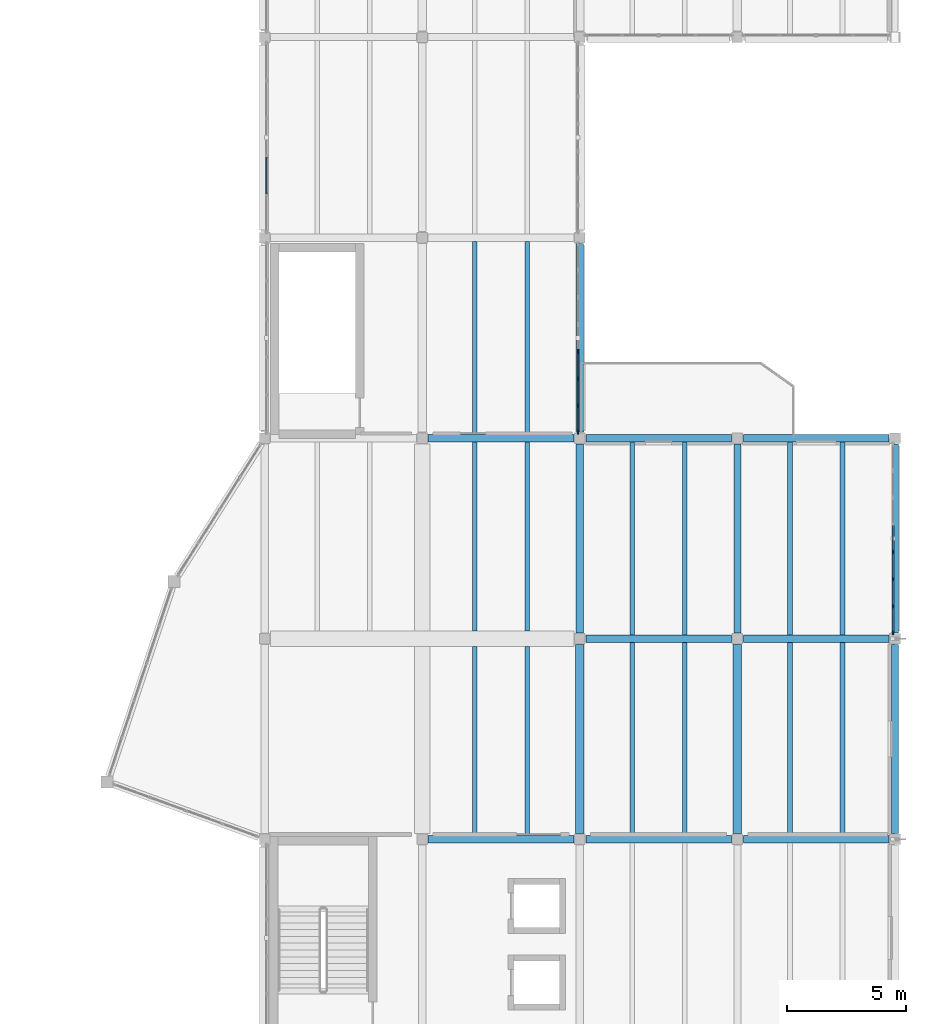
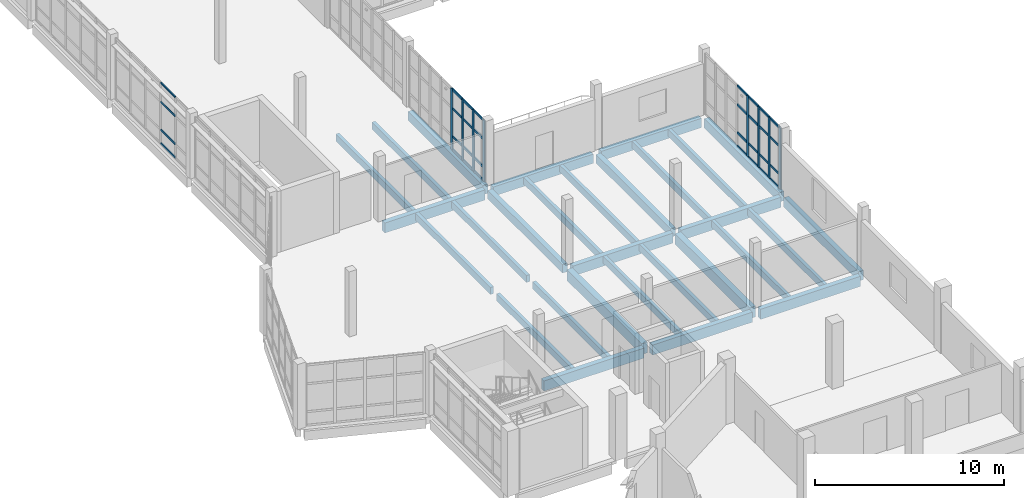
# One storey, part 26 of 74: 40 members, 29 beams, 3 elements without a shape of their own.
"""IFC4 building model written with IfcOpenShell, lengths in metres."""

from ifc_helpers import new_model, si_unit, direction, frame, origin, origin_2d, place, context, subcontext, project, spatial, rectangle, extrude, material, material_profile, profile_set, type_object, element, aggregate, save


model = new_model("IFC4")

# Units and contexts
model_context = context("Model", 3, precision=1e-05, world=origin(), true_north=direction((0.0, 1.0)))
body_context = subcontext(model_context, "Body", "Model", "MODEL_VIEW")
ifc_project = project(units=[si_unit("LENGTHUNIT", "METRE"), si_unit("AREAUNIT", "SQUARE_METRE"), si_unit("VOLUMEUNIT", "CUBIC_METRE"), si_unit("PLANEANGLEUNIT", "RADIAN"), si_unit("MASSUNIT", "GRAM", prefix="KILO")], contexts=[model_context])

# Site, building, storey
site_placement = place(None, origin())
site = spatial("IfcSite", under=ifc_project, at=site_placement, CompositionType="ELEMENT")
building_placement = place(site_placement, origin())
building = spatial("IfcBuilding", under=site, at=building_placement, Name="Qaldarim Faculty of Natural and Applied Sciences", CompositionType="ELEMENT")
storey_placement = place(building_placement, frame((0.0, 0.0, 14.39990234375)))
storey = spatial("IfcBuildingStorey", under=building, at=storey_placement, Name="L03", CompositionType="ELEMENT", Elevation=14.39990234375)

# Beams
ifc_material_1 = material(Name="Concrete C40/50", Category="concrete")
ifc_material_profile_1 = material_profile(ifc_material_1, rectangle(XDim=0.300048828125, YDim=0.550048828125, at=origin_2d()), Name="RC-B300x550")
ifc_profile_set_1 = profile_set([ifc_material_profile_1], Name="Concrete C40/50")
beam_type_1 = type_object("IfcBeamType", Name="FloorBeam-RC300x550", PredefinedType="BEAM", material=ifc_profile_set_1)
for number, where, z_axis, x_axis, name in (
    (1, (165.0, 75.85009765625, -0.534912109375), (0.0, 1.0, 0.0), (-1.0, 0.0, 0.0), "Beam RC-B300x550 L02 X26/Y10-Y11"),
    (2, (171.60009765625, 75.85009765625, -0.534912109375), (0.0, 1.0, 0.0), (-1.0, 0.0, 0.0), "Beam RC-B300x550 L02 X27/Y10-Y11"),
):
    element("IfcBeam", number, at=place(storey_placement, frame(where, z_axis=z_axis, x_axis=x_axis)), inside=storey, type_object=beam_type_1, Name=name, PredefinedType="BEAM", context=body_context, shape_type="SweptSolid", body=[
        extrude(rectangle(XDim=0.300048828125, YDim=0.550048828125, at=origin_2d()), origin(), (0.0, 0.0, 1.0), 7.89990234375),
    ])
ifc_material_profile_2 = material_profile(ifc_material_1, rectangle(XDim=0.199951171875, YDim=0.449951171875, at=origin_2d()), Name="RC-J200x450")
ifc_profile_set_2 = profile_set([ifc_material_profile_2], Name="Concrete C40/50")
beam_type_2 = type_object("IfcBeamType", Name="LabJoist-RC200x450", PredefinedType="JOIST", material=ifc_profile_set_2)
for number, where, z_axis, x_axis, name in (
    (3, (160.60009765625, 67.35009765625, -0.48486328125), (0.0, 1.0, 0.0), (-1.0, 0.0, 0.0), "Laboratory joist L02 bay X25Y09-1"),
    (4, (162.800048828125, 67.35009765625, -0.48486328125), (0.0, 1.0, 0.0), (-1.0, 0.0, 0.0), "Laboratory joist L02 bay X25Y09-2"),
):
    element("IfcBeam", number, at=place(storey_placement, frame(where, z_axis=z_axis, x_axis=x_axis)), inside=storey, type_object=beam_type_2, Name=name, PredefinedType="JOIST", context=body_context, shape_type="SweptSolid", body=[
        extrude(rectangle(XDim=0.199951171875, YDim=0.449951171875, at=origin_2d()), origin(), (0.0, 0.0, 1.0), 7.9248046875),
    ])
for number, where, z_axis, x_axis, name in (
    (5, (160.60009765625, 75.925048828125, -0.48486328125), (0.0, 1.0, 0.0), (-1.0, 0.0, 0.0), "Laboratory joist L02 bay X25Y10-1"),
    (6, (162.800048828125, 75.925048828125, -0.48486328125), (0.0, 1.0, 0.0), (-1.0, 0.0, 0.0), "Laboratory joist L02 bay X25Y10-2"),
):
    element("IfcBeam", number, at=place(storey_placement, frame(where, z_axis=z_axis, x_axis=x_axis)), inside=storey, type_object=beam_type_2, Name=name, PredefinedType="JOIST", context=body_context, shape_type="SweptSolid", body=[
        extrude(rectangle(XDim=0.199951171875, YDim=0.449951171875, at=origin_2d()), origin(), (0.0, 0.0, 1.0), 7.925048828125),
    ])
for number, where, z_axis, x_axis, name in (
    (7, (160.60009765625, 84.14990234375, -0.48486328125), (0.0, 1.0, 0.0), (-1.0, 0.0, 0.0), "Laboratory joist L02 bay X25Y11-1"),
    (8, (162.800048828125, 84.14990234375, -0.48486328125), (0.0, 1.0, 0.0), (-1.0, 0.0, 0.0), "Laboratory joist L02 bay X25Y11-2"),
):
    element("IfcBeam", number, at=place(storey_placement, frame(where, z_axis=z_axis, x_axis=x_axis)), inside=storey, type_object=beam_type_2, Name=name, PredefinedType="JOIST", context=body_context, shape_type="SweptSolid", body=[
        extrude(rectangle(XDim=0.199951171875, YDim=0.449951171875, at=origin_2d()), origin(), (0.0, 0.0, 1.0), 8.10009765625),
    ])
for number, where, z_axis, x_axis, name in (
    (9, (167.199951171875, 67.35009765625, -0.48486328125), (0.0, 1.0, 0.0), (-1.0, 0.0, 0.0), "Laboratory joist L02 bay X26Y09-1"),
    (10, (169.39990234375, 67.35009765625, -0.48486328125), (0.0, 1.0, 0.0), (-1.0, 0.0, 0.0), "Laboratory joist L02 bay X26Y09-2"),
):
    element("IfcBeam", number, at=place(storey_placement, frame(where, z_axis=z_axis, x_axis=x_axis)), inside=storey, type_object=beam_type_2, Name=name, PredefinedType="JOIST", context=body_context, shape_type="SweptSolid", body=[
        extrude(rectangle(XDim=0.199951171875, YDim=0.449951171875, at=origin_2d()), origin(), (0.0, 0.0, 1.0), 8.099853515625),
    ])
for number, where, z_axis, x_axis, name in (
    (11, (167.199951171875, 75.75, -0.48486328125), (0.0, 1.0, 0.0), (-1.0, 0.0, 0.0), "Laboratory joist L02 bay X26Y10-1"),
    (12, (169.39990234375, 75.75, -0.48486328125), (0.0, 1.0, 0.0), (-1.0, 0.0, 0.0), "Laboratory joist L02 bay X26Y10-2"),
):
    element("IfcBeam", number, at=place(storey_placement, frame(where, z_axis=z_axis, x_axis=x_axis)), inside=storey, type_object=beam_type_2, Name=name, PredefinedType="JOIST", context=body_context, shape_type="SweptSolid", body=[
        extrude(rectangle(XDim=0.199951171875, YDim=0.449951171875, at=origin_2d()), origin(), (0.0, 0.0, 1.0), 8.10009765625),
    ])
for number, where, z_axis, x_axis, name in (
    (13, (173.800048828125, 67.35009765625, -0.48486328125), (0.0, 1.0, 0.0), (-1.0, 0.0, 0.0), "Laboratory joist L02 bay X27Y09-1"),
    (14, (176.0, 67.35009765625, -0.48486328125), (0.0, 1.0, 0.0), (-1.0, 0.0, 0.0), "Laboratory joist L02 bay X27Y09-2"),
):
    element("IfcBeam", number, at=place(storey_placement, frame(where, z_axis=z_axis, x_axis=x_axis)), inside=storey, type_object=beam_type_2, Name=name, PredefinedType="JOIST", context=body_context, shape_type="SweptSolid", body=[
        extrude(rectangle(XDim=0.199951171875, YDim=0.449951171875, at=origin_2d()), origin(), (0.0, 0.0, 1.0), 8.099853515625),
    ])
for number, where, z_axis, x_axis, name in (
    (15, (173.800048828125, 75.75, -0.48486328125), (0.0, 1.0, 0.0), (-1.0, 0.0, 0.0), "Laboratory joist L02 bay X27Y10-1"),
    (16, (176.0, 75.75, -0.48486328125), (0.0, 1.0, 0.0), (-1.0, 0.0, 0.0), "Laboratory joist L02 bay X27Y10-2"),
):
    element("IfcBeam", number, at=place(storey_placement, frame(where, z_axis=z_axis, x_axis=x_axis)), inside=storey, type_object=beam_type_2, Name=name, PredefinedType="JOIST", context=body_context, shape_type="SweptSolid", body=[
        extrude(rectangle(XDim=0.199951171875, YDim=0.449951171875, at=origin_2d()), origin(), (0.0, 0.0, 1.0), 8.10009765625),
    ])

# Curtain wall, members
ifc_material_2 = material(Name="Anodised aluminium AW-6063", Category="aluminium")
curtain_wall_type_1 = type_object("IfcCurtainWallType", Name="CurtainWallSystem-M1200", PredefinedType="USERDEFINED", material=ifc_material_2)
curtain_wall_1_placement = place(storey_placement, origin())
curtain_wall_1 = element("IfcCurtainWall", 17, at=curtain_wall_1_placement, inside=storey, type_object=curtain_wall_type_1, Name="Curtain wall CW-L03-E-X25Y11", ObjectType="STICK CURTAIN WALL", PredefinedType="USERDEFINED")
ifc_material_profile_3 = material_profile(ifc_material_2, rectangle(XDim=0.070068359375, YDim=0.179931640625, at=origin_2d()), Name="ALU-M70x180")
ifc_profile_set_3 = profile_set([ifc_material_profile_3], Name="Anodised aluminium AW-6063")
member_type_1 = type_object("IfcMemberType", Name="Mullion-ALU70x180", PredefinedType="MULLION", material=ifc_profile_set_3)
member_1_placement = place(storey_placement, frame((164.919921875, 84.2548828125, 0.0), z_axis=(0.0, 0.0, 1.0), x_axis=(-1.0, 0.0, 0.0)))
member_1 = element("IfcMember", 18, at=member_1_placement, type_object=member_type_1, Name="Mullion 1 of CW-L03-E-X25Y11", PredefinedType="MULLION", context=body_context, shape_type="SweptSolid", body=[
    extrude(rectangle(XDim=0.070068359375, YDim=0.179931640625, at=origin_2d()), origin(), (0.0, 0.0, 1.0), 3.940185546875),
])
member_2_placement = place(storey_placement, frame((164.919921875, 85.357177734375, 0.0), z_axis=(0.0, 0.0, 1.0), x_axis=(-1.0, 0.0, 0.0)))
member_2 = element("IfcMember", 19, at=member_2_placement, type_object=member_type_1, Name="Mullion 2 of CW-L03-E-X25Y11", PredefinedType="MULLION", context=body_context, shape_type="SweptSolid", body=[
    extrude(rectangle(XDim=0.070068359375, YDim=0.179931640625, at=origin_2d()), origin(), (0.0, 0.0, 1.0), 3.940185546875),
])
member_3_placement = place(storey_placement, frame((164.919921875, 86.494384765625, 0.0), z_axis=(0.0, 0.0, 1.0), x_axis=(-1.0, 0.0, 0.0)))
member_3 = element("IfcMember", 20, at=member_3_placement, type_object=member_type_1, Name="Mullion 3 of CW-L03-E-X25Y11", PredefinedType="MULLION", context=body_context, shape_type="SweptSolid", body=[
    extrude(rectangle(XDim=0.070068359375, YDim=0.179931640625, at=origin_2d()), origin(), (0.0, 0.0, 1.0), 3.940185546875),
])
member_4_placement = place(storey_placement, frame((164.919921875, 87.63134765625, 0.0), z_axis=(0.0, 0.0, 1.0), x_axis=(-1.0, 0.0, 0.0)))
member_4 = element("IfcMember", 21, at=member_4_placement, type_object=member_type_1, Name="Mullion 4 of CW-L03-E-X25Y11", PredefinedType="MULLION", context=body_context, shape_type="SweptSolid", body=[
    extrude(rectangle(XDim=0.070068359375, YDim=0.179931640625, at=origin_2d()), origin(), (0.0, 0.0, 1.0), 3.940185546875),
])

curtain_wall_2_placement = place(storey_placement, origin())
curtain_wall_2 = element("IfcCurtainWall", 22, at=curtain_wall_2_placement, inside=storey, type_object=curtain_wall_type_1, Name="Curtain wall CW-L03-E-X27Y10", ObjectType="STICK CURTAIN WALL", PredefinedType="USERDEFINED")
member_5_placement = place(storey_placement, frame((178.1201171875, 75.85498046875, 0.0), z_axis=(0.0, 0.0, 1.0), x_axis=(-1.0, 0.0, 0.0)))
member_5 = element("IfcMember", 23, at=member_5_placement, type_object=member_type_1, Name="Mullion 1 of CW-L03-E-X27Y10", PredefinedType="MULLION", context=body_context, shape_type="SweptSolid", body=[
    extrude(rectangle(XDim=0.070068359375, YDim=0.179931640625, at=origin_2d()), origin(), (0.0, 0.0, 1.0), 3.940185546875),
])
member_6_placement = place(storey_placement, frame((178.1201171875, 76.95703125, 0.0), z_axis=(0.0, 0.0, 1.0), x_axis=(-1.0, 0.0, 0.0)))
member_6 = element("IfcMember", 24, at=member_6_placement, type_object=member_type_1, Name="Mullion 2 of CW-L03-E-X27Y10", PredefinedType="MULLION", context=body_context, shape_type="SweptSolid", body=[
    extrude(rectangle(XDim=0.070068359375, YDim=0.179931640625, at=origin_2d()), origin(), (0.0, 0.0, 1.0), 3.940185546875),
])
member_7_placement = place(storey_placement, frame((178.1201171875, 78.09423828125, 0.0), z_axis=(0.0, 0.0, 1.0), x_axis=(-1.0, 0.0, 0.0)))
member_7 = element("IfcMember", 25, at=member_7_placement, type_object=member_type_1, Name="Mullion 3 of CW-L03-E-X27Y10", PredefinedType="MULLION", context=body_context, shape_type="SweptSolid", body=[
    extrude(rectangle(XDim=0.070068359375, YDim=0.179931640625, at=origin_2d()), origin(), (0.0, 0.0, 1.0), 3.940185546875),
])
member_8_placement = place(storey_placement, frame((178.1201171875, 79.2314453125, 0.0), z_axis=(0.0, 0.0, 1.0), x_axis=(-1.0, 0.0, 0.0)))
member_8 = element("IfcMember", 26, at=member_8_placement, type_object=member_type_1, Name="Mullion 4 of CW-L03-E-X27Y10", PredefinedType="MULLION", context=body_context, shape_type="SweptSolid", body=[
    extrude(rectangle(XDim=0.070068359375, YDim=0.179931640625, at=origin_2d()), origin(), (0.0, 0.0, 1.0), 3.940185546875),
])

# Beams
ifc_material_profile_4 = material_profile(ifc_material_1, rectangle(XDim=0.300048828125, YDim=0.64990234375, at=origin_2d()), Name="RC-B300x650")
ifc_profile_set_4 = profile_set([ifc_material_profile_4], Name="Concrete C40/50")
beam_type_3 = type_object("IfcBeamType", Name="PrimaryBeam-RC300x650", PredefinedType="BEAM", material=ifc_profile_set_4)
for number, where, z_axis, x_axis, name in (
    (27, (158.64990234375, 67.199951171875, -0.5849609375), (1.0, 0.0, 0.0), (0.0, 1.0, 0.0), "Beam RC-B300x650 L02 X25-X26/Y09"),
    (28, (165.25, 67.199951171875, -0.5849609375), (1.0, 0.0, 0.0), (0.0, 1.0, 0.0), "Beam RC-B300x650 L02 X26-X27/Y09"),
):
    element("IfcBeam", number, at=place(storey_placement, frame(where, z_axis=z_axis, x_axis=x_axis)), inside=storey, type_object=beam_type_3, Name=name, PredefinedType="BEAM", context=body_context, shape_type="SweptSolid", body=[
        extrude(rectangle(XDim=0.300048828125, YDim=0.64990234375, at=origin_2d()), origin(), (0.0, 0.0, 1.0), 6.10009765625),
    ])
beam_1_placement = place(storey_placement, frame((171.85009765625, 67.199951171875, -0.5849609375), z_axis=(1.0, 0.0, 0.0), x_axis=(0.0, 1.0, 0.0)))
element("IfcBeam", 29, at=beam_1_placement, inside=storey, type_object=beam_type_3, Name="Beam RC-B300x650 L02 X27-X28/Y09", PredefinedType="BEAM", context=body_context, shape_type="SweptSolid", body=[
    extrude(rectangle(XDim=0.300048828125, YDim=0.64990234375, at=origin_2d()), origin(), (0.0, 0.0, 1.0), 6.099853515625),
])
beam_2_placement = place(storey_placement, frame((165.25, 75.60009765625, -0.5849609375), z_axis=(1.0, 0.0, 0.0), x_axis=(0.0, 1.0, 0.0)))
element("IfcBeam", 30, at=beam_2_placement, inside=storey, type_object=beam_type_3, Name="Beam RC-B300x650 L02 X26-X27/Y10", PredefinedType="BEAM", context=body_context, shape_type="SweptSolid", body=[
    extrude(rectangle(XDim=0.300048828125, YDim=0.64990234375, at=origin_2d()), origin(), (0.0, 0.0, 1.0), 6.10009765625),
])
beam_3_placement = place(storey_placement, frame((171.85009765625, 75.60009765625, -0.5849609375), z_axis=(1.0, 0.0, 0.0), x_axis=(0.0, 1.0, 0.0)))
element("IfcBeam", 31, at=beam_3_placement, inside=storey, type_object=beam_type_3, Name="Beam RC-B300x650 L02 X27-X28/Y10", PredefinedType="BEAM", context=body_context, shape_type="SweptSolid", body=[
    extrude(rectangle(XDim=0.300048828125, YDim=0.64990234375, at=origin_2d()), origin(), (0.0, 0.0, 1.0), 6.099853515625),
])
beam_4_placement = place(storey_placement, frame((158.64990234375, 84.0, -0.5849609375), z_axis=(1.0, 0.0, 0.0), x_axis=(0.0, 1.0, 0.0)))
element("IfcBeam", 32, at=beam_4_placement, inside=storey, type_object=beam_type_3, Name="Beam RC-B300x650 L02 X25-X26/Y11", PredefinedType="BEAM", context=body_context, shape_type="SweptSolid", body=[
    extrude(rectangle(XDim=0.300048828125, YDim=0.64990234375, at=origin_2d()), origin(), (0.0, 0.0, 1.0), 6.10009765625),
])
ifc_material_profile_5 = material_profile(ifc_material_1, rectangle(XDim=0.35009765625, YDim=0.699951171875, at=origin_2d()), Name="RC-B350x700")
ifc_profile_set_5 = profile_set([ifc_material_profile_5], Name="Concrete C40/50")
beam_type_4 = type_object("IfcBeamType", Name="PrimaryGirder-RC350x700", PredefinedType="BEAM", material=ifc_profile_set_5)
for number, where, z_axis, x_axis, name in (
    (33, (165.0, 67.449951171875, -0.60986328125), (0.0, 1.0, 0.0), (-1.0, 0.0, 0.0), "Beam RC-B350x700 L02 X26/Y09-Y10"),
    (34, (171.60009765625, 67.449951171875, -0.60986328125), (0.0, 1.0, 0.0), (-1.0, 0.0, 0.0), "Beam RC-B350x700 L02 X27/Y09-Y10"),
):
    element("IfcBeam", number, at=place(storey_placement, frame(where, z_axis=z_axis, x_axis=x_axis)), inside=storey, type_object=beam_type_4, Name=name, PredefinedType="BEAM", context=body_context, shape_type="SweptSolid", body=[
        extrude(rectangle(XDim=0.35009765625, YDim=0.699951171875, at=origin_2d()), origin(), (0.0, 0.0, 1.0), 7.900146484375),
    ])
ifc_material_3 = material(Name="Precast concrete C40/50", Category="concrete")
ifc_material_profile_6 = material_profile(ifc_material_3, rectangle(XDim=0.300048828125, YDim=0.60009765625, at=origin_2d()), Name="RC-SP300x600")
ifc_profile_set_6 = profile_set([ifc_material_profile_6], Name="Precast concrete C40/50")
beam_type_5 = type_object("IfcBeamType", Name="SpandrelBeam-RC300x600", PredefinedType="SPANDREL", material=ifc_profile_set_6)
beam_5_placement = place(storey_placement, frame((165.25, 84.0, -0.559814453125), z_axis=(1.0, 0.0, 0.0), x_axis=(0.0, 1.0, 0.0)))
element("IfcBeam", 35, at=beam_5_placement, inside=storey, type_object=beam_type_5, Name="Beam RC-SP300x600 L02 X26-X27/Y11", PredefinedType="SPANDREL", context=body_context, shape_type="SweptSolid", body=[
    extrude(rectangle(XDim=0.300048828125, YDim=0.60009765625, at=origin_2d()), origin(), (0.0, 0.0, 1.0), 6.10009765625),
])
beam_6_placement = place(storey_placement, frame((171.85009765625, 84.0, -0.559814453125), z_axis=(1.0, 0.0, 0.0), x_axis=(0.0, 1.0, 0.0)))
element("IfcBeam", 36, at=beam_6_placement, inside=storey, type_object=beam_type_5, Name="Beam RC-SP300x600 L02 X27-X28/Y11", PredefinedType="SPANDREL", context=body_context, shape_type="SweptSolid", body=[
    extrude(rectangle(XDim=0.300048828125, YDim=0.60009765625, at=origin_2d()), origin(), (0.0, 0.0, 1.0), 6.099853515625),
])
beam_7_placement = place(storey_placement, frame((165.0, 84.25, -0.559814453125), z_axis=(0.0, 1.0, 0.0), x_axis=(-1.0, 0.0, 0.0)))
element("IfcBeam", 37, at=beam_7_placement, inside=storey, type_object=beam_type_5, Name="Beam RC-SP300x600 L02 X26/Y11-Y12", PredefinedType="SPANDREL", context=body_context, shape_type="SweptSolid", body=[
    extrude(rectangle(XDim=0.300048828125, YDim=0.60009765625, at=origin_2d()), origin(), (0.0, 0.0, 1.0), 7.89990234375),
])
beam_8_placement = place(storey_placement, frame((178.199951171875, 67.449951171875, -0.559814453125), z_axis=(0.0, 1.0, 0.0), x_axis=(-1.0, 0.0, 0.0)))
element("IfcBeam", 38, at=beam_8_placement, inside=storey, type_object=beam_type_5, Name="Beam RC-SP300x600 L02 X28/Y09-Y10", PredefinedType="SPANDREL", context=body_context, shape_type="SweptSolid", body=[
    extrude(rectangle(XDim=0.300048828125, YDim=0.60009765625, at=origin_2d()), origin(), (0.0, 0.0, 1.0), 7.900146484375),
])
beam_9_placement = place(storey_placement, frame((178.199951171875, 75.85009765625, -0.559814453125), z_axis=(0.0, 1.0, 0.0), x_axis=(-1.0, 0.0, 0.0)))
element("IfcBeam", 39, at=beam_9_placement, inside=storey, type_object=beam_type_5, Name="Beam RC-SP300x600 L02 X28/Y10-Y11", PredefinedType="SPANDREL", context=body_context, shape_type="SweptSolid", body=[
    extrude(rectangle(XDim=0.300048828125, YDim=0.60009765625, at=origin_2d()), origin(), (0.0, 0.0, 1.0), 7.89990234375),
])

# Curtain wall, members
curtain_wall_type_2 = type_object("IfcCurtainWallType", Name="CurtainWallSystem-M1600", PredefinedType="USERDEFINED", material=ifc_material_2)
curtain_wall_3_placement = place(storey_placement, origin())
curtain_wall_3 = element("IfcCurtainWall", 40, at=curtain_wall_3_placement, inside=storey, type_object=curtain_wall_type_2, Name="Curtain wall CW-L03-W-X24Y12", ObjectType="UNITISED FACADE", PredefinedType="USERDEFINED")
ifc_material_profile_7 = material_profile(ifc_material_2, rectangle(XDim=0.06005859375, YDim=0.1201171875, at=origin_2d()), Name="ALU-T60x120")
ifc_profile_set_7 = profile_set([ifc_material_profile_7], Name="Anodised aluminium AW-6063")
member_type_2 = type_object("IfcMemberType", Name="Transom-ALU60x120", PredefinedType="USERDEFINED", material=ifc_profile_set_7)
member_9_placement = place(storey_placement, frame((151.8798828125, 95.77392578125, 0.030029296875), z_axis=(0.0, -1.0, 0.0), x_axis=(1.0, 0.0, 0.0)))
member_9 = element("IfcMember", 41, at=member_9_placement, type_object=member_type_2, Name="Transom 4-1 of CW-L03-W-X24Y12", ObjectType="TRANSOM", PredefinedType="USERDEFINED", context=body_context, shape_type="SweptSolid", body=[
    extrude(rectangle(XDim=0.06005859375, YDim=0.1201171875, at=origin_2d()), origin(), (0.0, 0.0, 1.0), 1.531982421875),
])
member_10_placement = place(storey_placement, frame((151.8798828125, 95.77392578125, 0.900146484375), z_axis=(0.0, -1.0, 0.0), x_axis=(1.0, 0.0, 0.0)))
member_10 = element("IfcMember", 42, at=member_10_placement, type_object=member_type_2, Name="Transom 4-2 of CW-L03-W-X24Y12", ObjectType="TRANSOM", PredefinedType="USERDEFINED", context=body_context, shape_type="SweptSolid", body=[
    extrude(rectangle(XDim=0.06005859375, YDim=0.1201171875, at=origin_2d()), origin(), (0.0, 0.0, 1.0), 1.531982421875),
])
member_11_placement = place(storey_placement, frame((151.8798828125, 95.77392578125, 2.7001953125), z_axis=(0.0, -1.0, 0.0), x_axis=(1.0, 0.0, 0.0)))
member_11 = element("IfcMember", 43, at=member_11_placement, type_object=member_type_2, Name="Transom 4-3 of CW-L03-W-X24Y12", ObjectType="TRANSOM", PredefinedType="USERDEFINED", context=body_context, shape_type="SweptSolid", body=[
    extrude(rectangle(XDim=0.06005859375, YDim=0.1201171875, at=origin_2d()), origin(), (0.0, 0.0, 1.0), 1.531982421875),
])
member_12_placement = place(storey_placement, frame((151.8798828125, 95.77392578125, 3.91015625), z_axis=(0.0, -1.0, 0.0), x_axis=(1.0, 0.0, 0.0)))
member_12 = element("IfcMember", 44, at=member_12_placement, type_object=member_type_2, Name="Transom 4-4 of CW-L03-W-X24Y12", ObjectType="TRANSOM", PredefinedType="USERDEFINED", context=body_context, shape_type="SweptSolid", body=[
    extrude(rectangle(XDim=0.06005859375, YDim=0.1201171875, at=origin_2d()), origin(), (0.0, 0.0, 1.0), 1.531982421875),
])
aggregate(curtain_wall_3, [member_9, member_10, member_11, member_12])

# Member
ifc_material_profile_8 = material_profile(ifc_material_2, rectangle(XDim=0.070068359375, YDim=0.139892578125, at=origin_2d()), Name="ALU-T70x140")
ifc_profile_set_8 = profile_set([ifc_material_profile_8], Name="Anodised aluminium AW-6063")
member_type_3 = type_object("IfcMemberType", Name="Transom-ALU70x140", PredefinedType="USERDEFINED", material=ifc_profile_set_8)
member_13_placement = place(storey_placement, frame((164.919921875, 84.2900390625, 0.03515625), z_axis=(0.0, 1.0, 0.0), x_axis=(-1.0, 0.0, 0.0)))
member_13 = element("IfcMember", 45, at=member_13_placement, type_object=member_type_3, Name="Transom 1-1 of CW-L03-E-X25Y11", ObjectType="TRANSOM", PredefinedType="USERDEFINED", context=body_context, shape_type="SweptSolid", body=[
    extrude(rectangle(XDim=0.070068359375, YDim=0.139892578125, at=origin_2d()), origin(), (0.0, 0.0, 1.0), 1.031982421875),
])

member_14_placement = place(storey_placement, frame((164.919921875, 84.2900390625, 0.900146484375), z_axis=(0.0, 1.0, 0.0), x_axis=(-1.0, 0.0, 0.0)))
member_14 = element("IfcMember", 46, at=member_14_placement, type_object=member_type_3, Name="Transom 1-2 of CW-L03-E-X25Y11", ObjectType="TRANSOM", PredefinedType="USERDEFINED", context=body_context, shape_type="SweptSolid", body=[
    extrude(rectangle(XDim=0.070068359375, YDim=0.139892578125, at=origin_2d()), origin(), (0.0, 0.0, 1.0), 1.031982421875),
])

member_15_placement = place(storey_placement, frame((164.919921875, 84.2900390625, 2.7001953125), z_axis=(0.0, 1.0, 0.0), x_axis=(-1.0, 0.0, 0.0)))
member_15 = element("IfcMember", 47, at=member_15_placement, type_object=member_type_3, Name="Transom 1-3 of CW-L03-E-X25Y11", ObjectType="TRANSOM", PredefinedType="USERDEFINED", context=body_context, shape_type="SweptSolid", body=[
    extrude(rectangle(XDim=0.070068359375, YDim=0.139892578125, at=origin_2d()), origin(), (0.0, 0.0, 1.0), 1.031982421875),
])

member_16_placement = place(storey_placement, frame((164.919921875, 84.2900390625, 3.905029296875), z_axis=(0.0, 1.0, 0.0), x_axis=(-1.0, 0.0, 0.0)))
member_16 = element("IfcMember", 48, at=member_16_placement, type_object=member_type_3, Name="Transom 1-4 of CW-L03-E-X25Y11", ObjectType="TRANSOM", PredefinedType="USERDEFINED", context=body_context, shape_type="SweptSolid", body=[
    extrude(rectangle(XDim=0.070068359375, YDim=0.139892578125, at=origin_2d()), origin(), (0.0, 0.0, 1.0), 1.031982421875),
])

member_17_placement = place(storey_placement, frame((164.919921875, 85.39208984375, 0.03515625), z_axis=(0.0, 1.0, 0.0), x_axis=(-1.0, 0.0, 0.0)))
member_17 = element("IfcMember", 49, at=member_17_placement, type_object=member_type_3, Name="Transom 2-1 of CW-L03-E-X25Y11", ObjectType="TRANSOM", PredefinedType="USERDEFINED", context=body_context, shape_type="SweptSolid", body=[
    extrude(rectangle(XDim=0.070068359375, YDim=0.139892578125, at=origin_2d()), origin(), (0.0, 0.0, 1.0), 1.067138671875),
])

member_18_placement = place(storey_placement, frame((164.919921875, 85.39208984375, 0.900146484375), z_axis=(0.0, 1.0, 0.0), x_axis=(-1.0, 0.0, 0.0)))
member_18 = element("IfcMember", 50, at=member_18_placement, type_object=member_type_3, Name="Transom 2-2 of CW-L03-E-X25Y11", ObjectType="TRANSOM", PredefinedType="USERDEFINED", context=body_context, shape_type="SweptSolid", body=[
    extrude(rectangle(XDim=0.070068359375, YDim=0.139892578125, at=origin_2d()), origin(), (0.0, 0.0, 1.0), 1.067138671875),
])

member_19_placement = place(storey_placement, frame((164.919921875, 85.39208984375, 2.7001953125), z_axis=(0.0, 1.0, 0.0), x_axis=(-1.0, 0.0, 0.0)))
member_19 = element("IfcMember", 51, at=member_19_placement, type_object=member_type_3, Name="Transom 2-3 of CW-L03-E-X25Y11", ObjectType="TRANSOM", PredefinedType="USERDEFINED", context=body_context, shape_type="SweptSolid", body=[
    extrude(rectangle(XDim=0.070068359375, YDim=0.139892578125, at=origin_2d()), origin(), (0.0, 0.0, 1.0), 1.067138671875),
])

member_20_placement = place(storey_placement, frame((164.919921875, 85.39208984375, 3.905029296875), z_axis=(0.0, 1.0, 0.0), x_axis=(-1.0, 0.0, 0.0)))
member_20 = element("IfcMember", 52, at=member_20_placement, type_object=member_type_3, Name="Transom 2-4 of CW-L03-E-X25Y11", ObjectType="TRANSOM", PredefinedType="USERDEFINED", context=body_context, shape_type="SweptSolid", body=[
    extrude(rectangle(XDim=0.070068359375, YDim=0.139892578125, at=origin_2d()), origin(), (0.0, 0.0, 1.0), 1.067138671875),
])

member_21_placement = place(storey_placement, frame((164.919921875, 86.529296875, 0.03515625), z_axis=(0.0, 1.0, 0.0), x_axis=(-1.0, 0.0, 0.0)))
member_21 = element("IfcMember", 53, at=member_21_placement, type_object=member_type_3, Name="Transom 3-1 of CW-L03-E-X25Y11", ObjectType="TRANSOM", PredefinedType="USERDEFINED", context=body_context, shape_type="SweptSolid", body=[
    extrude(rectangle(XDim=0.070068359375, YDim=0.139892578125, at=origin_2d()), origin(), (0.0, 0.0, 1.0), 1.067138671875),
])

member_22_placement = place(storey_placement, frame((164.919921875, 86.529296875, 0.900146484375), z_axis=(0.0, 1.0, 0.0), x_axis=(-1.0, 0.0, 0.0)))
member_22 = element("IfcMember", 54, at=member_22_placement, type_object=member_type_3, Name="Transom 3-2 of CW-L03-E-X25Y11", ObjectType="TRANSOM", PredefinedType="USERDEFINED", context=body_context, shape_type="SweptSolid", body=[
    extrude(rectangle(XDim=0.070068359375, YDim=0.139892578125, at=origin_2d()), origin(), (0.0, 0.0, 1.0), 1.067138671875),
])

member_23_placement = place(storey_placement, frame((164.919921875, 86.529296875, 2.7001953125), z_axis=(0.0, 1.0, 0.0), x_axis=(-1.0, 0.0, 0.0)))
member_23 = element("IfcMember", 55, at=member_23_placement, type_object=member_type_3, Name="Transom 3-3 of CW-L03-E-X25Y11", ObjectType="TRANSOM", PredefinedType="USERDEFINED", context=body_context, shape_type="SweptSolid", body=[
    extrude(rectangle(XDim=0.070068359375, YDim=0.139892578125, at=origin_2d()), origin(), (0.0, 0.0, 1.0), 1.067138671875),
])

member_24_placement = place(storey_placement, frame((164.919921875, 86.529296875, 3.905029296875), z_axis=(0.0, 1.0, 0.0), x_axis=(-1.0, 0.0, 0.0)))
member_24 = element("IfcMember", 56, at=member_24_placement, type_object=member_type_3, Name="Transom 3-4 of CW-L03-E-X25Y11", ObjectType="TRANSOM", PredefinedType="USERDEFINED", context=body_context, shape_type="SweptSolid", body=[
    extrude(rectangle(XDim=0.070068359375, YDim=0.139892578125, at=origin_2d()), origin(), (0.0, 0.0, 1.0), 1.067138671875),
])

aggregate(curtain_wall_1, [member_1, member_2, member_3, member_4, member_13, member_14, member_15, member_16, member_17, member_18, member_19, member_20, member_21, member_22, member_23, member_24])

member_25_placement = place(storey_placement, frame((178.1201171875, 75.889892578125, 0.03515625), z_axis=(0.0, 1.0, 0.0), x_axis=(-1.0, 0.0, 0.0)))
member_25 = element("IfcMember", 57, at=member_25_placement, type_object=member_type_3, Name="Transom 1-1 of CW-L03-E-X27Y10", ObjectType="TRANSOM", PredefinedType="USERDEFINED", context=body_context, shape_type="SweptSolid", body=[
    extrude(rectangle(XDim=0.070068359375, YDim=0.139892578125, at=origin_2d()), origin(), (0.0, 0.0, 1.0), 1.0322265625),
])

member_26_placement = place(storey_placement, frame((178.1201171875, 75.889892578125, 0.900146484375), z_axis=(0.0, 1.0, 0.0), x_axis=(-1.0, 0.0, 0.0)))
member_26 = element("IfcMember", 58, at=member_26_placement, type_object=member_type_3, Name="Transom 1-2 of CW-L03-E-X27Y10", ObjectType="TRANSOM", PredefinedType="USERDEFINED", context=body_context, shape_type="SweptSolid", body=[
    extrude(rectangle(XDim=0.070068359375, YDim=0.139892578125, at=origin_2d()), origin(), (0.0, 0.0, 1.0), 1.0322265625),
])

member_27_placement = place(storey_placement, frame((178.1201171875, 75.889892578125, 2.7001953125), z_axis=(0.0, 1.0, 0.0), x_axis=(-1.0, 0.0, 0.0)))
member_27 = element("IfcMember", 59, at=member_27_placement, type_object=member_type_3, Name="Transom 1-3 of CW-L03-E-X27Y10", ObjectType="TRANSOM", PredefinedType="USERDEFINED", context=body_context, shape_type="SweptSolid", body=[
    extrude(rectangle(XDim=0.070068359375, YDim=0.139892578125, at=origin_2d()), origin(), (0.0, 0.0, 1.0), 1.0322265625),
])

member_28_placement = place(storey_placement, frame((178.1201171875, 75.889892578125, 3.905029296875), z_axis=(0.0, 1.0, 0.0), x_axis=(-1.0, 0.0, 0.0)))
member_28 = element("IfcMember", 60, at=member_28_placement, type_object=member_type_3, Name="Transom 1-4 of CW-L03-E-X27Y10", ObjectType="TRANSOM", PredefinedType="USERDEFINED", context=body_context, shape_type="SweptSolid", body=[
    extrude(rectangle(XDim=0.070068359375, YDim=0.139892578125, at=origin_2d()), origin(), (0.0, 0.0, 1.0), 1.0322265625),
])

member_29_placement = place(storey_placement, frame((178.1201171875, 76.9921875, 0.03515625), z_axis=(0.0, 1.0, 0.0), x_axis=(-1.0, 0.0, 0.0)))
member_29 = element("IfcMember", 61, at=member_29_placement, type_object=member_type_3, Name="Transom 2-1 of CW-L03-E-X27Y10", ObjectType="TRANSOM", PredefinedType="USERDEFINED", context=body_context, shape_type="SweptSolid", body=[
    extrude(rectangle(XDim=0.070068359375, YDim=0.139892578125, at=origin_2d()), origin(), (0.0, 0.0, 1.0), 1.067138671875),
])

member_30_placement = place(storey_placement, frame((178.1201171875, 76.9921875, 0.900146484375), z_axis=(0.0, 1.0, 0.0), x_axis=(-1.0, 0.0, 0.0)))
member_30 = element("IfcMember", 62, at=member_30_placement, type_object=member_type_3, Name="Transom 2-2 of CW-L03-E-X27Y10", ObjectType="TRANSOM", PredefinedType="USERDEFINED", context=body_context, shape_type="SweptSolid", body=[
    extrude(rectangle(XDim=0.070068359375, YDim=0.139892578125, at=origin_2d()), origin(), (0.0, 0.0, 1.0), 1.067138671875),
])

member_31_placement = place(storey_placement, frame((178.1201171875, 76.9921875, 2.7001953125), z_axis=(0.0, 1.0, 0.0), x_axis=(-1.0, 0.0, 0.0)))
member_31 = element("IfcMember", 63, at=member_31_placement, type_object=member_type_3, Name="Transom 2-3 of CW-L03-E-X27Y10", ObjectType="TRANSOM", PredefinedType="USERDEFINED", context=body_context, shape_type="SweptSolid", body=[
    extrude(rectangle(XDim=0.070068359375, YDim=0.139892578125, at=origin_2d()), origin(), (0.0, 0.0, 1.0), 1.067138671875),
])

member_32_placement = place(storey_placement, frame((178.1201171875, 76.9921875, 3.905029296875), z_axis=(0.0, 1.0, 0.0), x_axis=(-1.0, 0.0, 0.0)))
member_32 = element("IfcMember", 64, at=member_32_placement, type_object=member_type_3, Name="Transom 2-4 of CW-L03-E-X27Y10", ObjectType="TRANSOM", PredefinedType="USERDEFINED", context=body_context, shape_type="SweptSolid", body=[
    extrude(rectangle(XDim=0.070068359375, YDim=0.139892578125, at=origin_2d()), origin(), (0.0, 0.0, 1.0), 1.067138671875),
])

member_33_placement = place(storey_placement, frame((178.1201171875, 78.12939453125, 0.03515625), z_axis=(0.0, 1.0, 0.0), x_axis=(-1.0, 0.0, 0.0)))
member_33 = element("IfcMember", 65, at=member_33_placement, type_object=member_type_3, Name="Transom 3-1 of CW-L03-E-X27Y10", ObjectType="TRANSOM", PredefinedType="USERDEFINED", context=body_context, shape_type="SweptSolid", body=[
    extrude(rectangle(XDim=0.070068359375, YDim=0.139892578125, at=origin_2d()), origin(), (0.0, 0.0, 1.0), 1.06689453125),
])

member_34_placement = place(storey_placement, frame((178.1201171875, 78.12939453125, 0.900146484375), z_axis=(0.0, 1.0, 0.0), x_axis=(-1.0, 0.0, 0.0)))
member_34 = element("IfcMember", 66, at=member_34_placement, type_object=member_type_3, Name="Transom 3-2 of CW-L03-E-X27Y10", ObjectType="TRANSOM", PredefinedType="USERDEFINED", context=body_context, shape_type="SweptSolid", body=[
    extrude(rectangle(XDim=0.070068359375, YDim=0.139892578125, at=origin_2d()), origin(), (0.0, 0.0, 1.0), 1.06689453125),
])

member_35_placement = place(storey_placement, frame((178.1201171875, 78.12939453125, 2.7001953125), z_axis=(0.0, 1.0, 0.0), x_axis=(-1.0, 0.0, 0.0)))
member_35 = element("IfcMember", 67, at=member_35_placement, type_object=member_type_3, Name="Transom 3-3 of CW-L03-E-X27Y10", ObjectType="TRANSOM", PredefinedType="USERDEFINED", context=body_context, shape_type="SweptSolid", body=[
    extrude(rectangle(XDim=0.070068359375, YDim=0.139892578125, at=origin_2d()), origin(), (0.0, 0.0, 1.0), 1.06689453125),
])

member_36_placement = place(storey_placement, frame((178.1201171875, 78.12939453125, 3.905029296875), z_axis=(0.0, 1.0, 0.0), x_axis=(-1.0, 0.0, 0.0)))
member_36 = element("IfcMember", 68, at=member_36_placement, type_object=member_type_3, Name="Transom 3-4 of CW-L03-E-X27Y10", ObjectType="TRANSOM", PredefinedType="USERDEFINED", context=body_context, shape_type="SweptSolid", body=[
    extrude(rectangle(XDim=0.070068359375, YDim=0.139892578125, at=origin_2d()), origin(), (0.0, 0.0, 1.0), 1.06689453125),
])

member_37_placement = place(storey_placement, frame((178.1201171875, 79.266357421875, 0.03515625), z_axis=(0.0, 1.0, 0.0), x_axis=(-1.0, 0.0, 0.0)))
member_37 = element("IfcMember", 69, at=member_37_placement, type_object=member_type_3, Name="Transom 4-1 of CW-L03-E-X27Y10", ObjectType="TRANSOM", PredefinedType="USERDEFINED", context=body_context, shape_type="SweptSolid", body=[
    extrude(rectangle(XDim=0.070068359375, YDim=0.139892578125, at=origin_2d()), origin(), (0.0, 0.0, 1.0), 1.067138671875),
])

member_38_placement = place(storey_placement, frame((178.1201171875, 79.266357421875, 0.900146484375), z_axis=(0.0, 1.0, 0.0), x_axis=(-1.0, 0.0, 0.0)))
member_38 = element("IfcMember", 70, at=member_38_placement, type_object=member_type_3, Name="Transom 4-2 of CW-L03-E-X27Y10", ObjectType="TRANSOM", PredefinedType="USERDEFINED", context=body_context, shape_type="SweptSolid", body=[
    extrude(rectangle(XDim=0.070068359375, YDim=0.139892578125, at=origin_2d()), origin(), (0.0, 0.0, 1.0), 1.067138671875),
])

member_39_placement = place(storey_placement, frame((178.1201171875, 79.266357421875, 2.7001953125), z_axis=(0.0, 1.0, 0.0), x_axis=(-1.0, 0.0, 0.0)))
member_39 = element("IfcMember", 71, at=member_39_placement, type_object=member_type_3, Name="Transom 4-3 of CW-L03-E-X27Y10", ObjectType="TRANSOM", PredefinedType="USERDEFINED", context=body_context, shape_type="SweptSolid", body=[
    extrude(rectangle(XDim=0.070068359375, YDim=0.139892578125, at=origin_2d()), origin(), (0.0, 0.0, 1.0), 1.067138671875),
])

member_40_placement = place(storey_placement, frame((178.1201171875, 79.266357421875, 3.905029296875), z_axis=(0.0, 1.0, 0.0), x_axis=(-1.0, 0.0, 0.0)))
member_40 = element("IfcMember", 72, at=member_40_placement, type_object=member_type_3, Name="Transom 4-4 of CW-L03-E-X27Y10", ObjectType="TRANSOM", PredefinedType="USERDEFINED", context=body_context, shape_type="SweptSolid", body=[
    extrude(rectangle(XDim=0.070068359375, YDim=0.139892578125, at=origin_2d()), origin(), (0.0, 0.0, 1.0), 1.067138671875),
])

aggregate(curtain_wall_2, [member_5, member_6, member_7, member_8, member_25, member_26, member_27, member_28, member_29, member_30, member_31, member_32, member_33, member_34, member_35, member_36, member_37, member_38, member_39, member_40])

save(model, "model.ifc")
